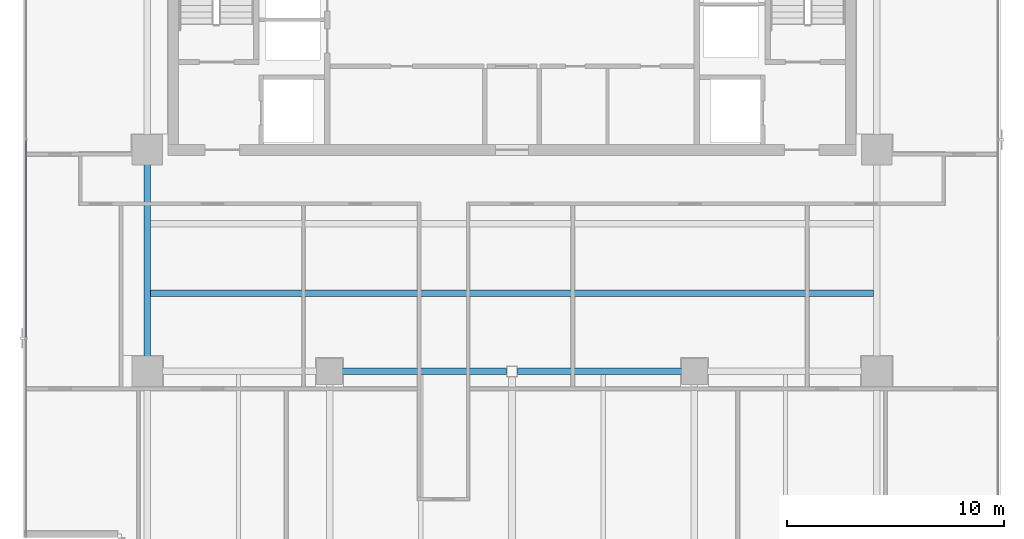
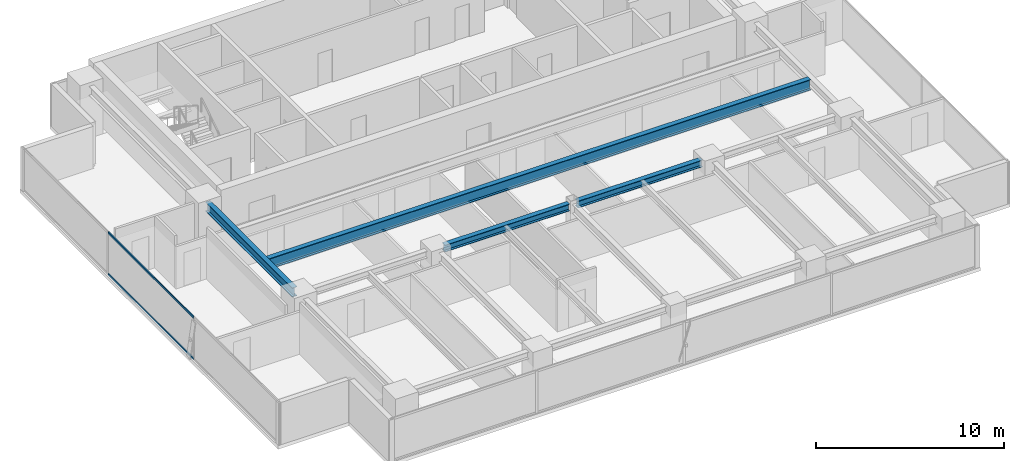
# One storey, part 8 of 25: 4 beams, 2 members, 1 element without a shape of its own.
"""IFC4 building model written with IfcOpenShell, lengths in metres."""

from ifc_helpers import new_model, si_unit, direction, frame, origin, origin_2d, place, context, subcontext, project, spatial, hollow_rectangle, i_section, extrude, source, transform, mapped, material, layer, layer_set, material_profile, profile_set, type_object, element, aggregate, save


model = new_model("IFC4")

# Units and contexts
model_context = context("Model", 3, precision=1e-05, world=origin(), true_north=direction((0.0, 1.0)))
body_context = subcontext(model_context, "Body", "Model", "MODEL_VIEW")
ifc_project = project(units=[si_unit("LENGTHUNIT", "METRE"), si_unit("AREAUNIT", "SQUARE_METRE"), si_unit("VOLUMEUNIT", "CUBIC_METRE"), si_unit("PLANEANGLEUNIT", "RADIAN"), si_unit("MASSUNIT", "GRAM", prefix="KILO")], contexts=[model_context])

# Site, building, storey
site_placement = place(None, origin())
site = spatial("IfcSite", under=ifc_project, at=site_placement, CompositionType="ELEMENT")
building_placement = place(site_placement, origin())
building = spatial("IfcBuilding", under=site, at=building_placement, Name="Sumidabori Civic Tower", CompositionType="ELEMENT")
storey_placement = place(building_placement, frame((0.0, 0.0, 246.800048828125)))
storey = spatial("IfcBuildingStorey", under=building, at=storey_placement, Name="L64", CompositionType="ELEMENT", Elevation=246.800048828125)

# Beams
ifc_material_1 = material(Name="Steel SN490", Category="steel")
ifc_material_profile_1 = material_profile(ifc_material_1, i_section(OverallWidth=0.300048828125, OverallDepth=0.60009765625, WebThickness=0.015380859375, FlangeThickness=0.030029296875, at=origin_2d()), Name="HE 600 B")
ifc_profile_set_1 = profile_set([ifc_material_profile_1], Name="Steel SN490")
beam_type_1 = type_object("IfcBeamType", Name="BM-GIRD-600", PredefinedType="BEAM", material=ifc_profile_set_1)
shared_shape_1 = source(origin(), body_context, "Body", "SweptSolid", [
    extrude(i_section(OverallWidth=0.300048828125, OverallDepth=0.60009765625, WebThickness=0.015380859375, FlangeThickness=0.030029296875, at=origin_2d()), origin(), (0.0, 0.0, 1.0), 9.239990234375),
])
beam_1_placement = place(storey_placement, frame((-16.800048828125, 0.47998046875, 3.070068359375), z_axis=(0.0, 1.0, 0.0), x_axis=(-1.0, 0.0, 0.0)))
element("IfcBeam", 1, at=beam_1_placement, inside=storey, type_object=beam_type_1, Name="Primary Girder L64 GY-10", PredefinedType="BEAM", context=body_context, shape_type="MappedRepresentation", body=[
    mapped(shared_shape_1, transform((0.0, 0.0, 0.0), x_axis=(1.0, 0.0, 0.0), y_axis=(0.0, 1.0, 0.0), z_axis=(0.0, 0.0, 1.0), scale=1.0)),
])
ifc_material_profile_2 = material_profile(ifc_material_1, i_section(OverallWidth=0.300048828125, OverallDepth=0.699951171875, WebThickness=0.01708984375, FlangeThickness=0.031982421875, at=origin_2d()), Name="HE 700 B")
ifc_profile_set_2 = profile_set([ifc_material_profile_2], Name="Steel SN490")
beam_type_2 = type_object("IfcBeamType", Name="BM-GIRD-700", PredefinedType="BEAM", material=ifc_profile_set_2)
shared_shape_2 = source(origin(), body_context, "Body", "SweptSolid", [
    extrude(i_section(OverallWidth=0.300048828125, OverallDepth=0.699951171875, WebThickness=0.01708984375, FlangeThickness=0.031982421875, at=origin_2d()), origin(), (0.0, 0.0, 1.0), 33.2998046875),
])
beam_2_placement = place(storey_placement, frame((-16.64990234375, 3.60009765625, 3.02001953125), z_axis=(1.0, 0.0, 0.0), x_axis=(0.0, 1.0, 0.0)))
element("IfcBeam", 2, at=beam_2_placement, inside=storey, type_object=beam_type_2, Name="North Bay Floor Beam L64 JSTN-18", PredefinedType="BEAM", context=body_context, shape_type="MappedRepresentation", body=[
    mapped(shared_shape_2, transform((0.0, 0.0, 0.0), x_axis=(1.0, 0.0, 0.0), y_axis=(0.0, 1.0, 0.0), z_axis=(0.0, 0.0, 1.0), scale=1.0)),
])
ifc_material_profile_3 = material_profile(ifc_material_1, i_section(OverallWidth=0.300048828125, OverallDepth=0.449951171875, WebThickness=0.013916015625, FlangeThickness=0.02587890625, at=origin_2d()), Name="HE 450 B")
ifc_profile_set_3 = profile_set([ifc_material_profile_3], Name="Steel SN490")
beam_type_3 = type_object("IfcBeamType", Name="BM-GIRD-450", PredefinedType="BEAM", material=ifc_profile_set_3)
shared_shape_3 = source(origin(), body_context, "Body", "SweptSolid", [
    extrude(i_section(OverallWidth=0.300048828125, OverallDepth=0.449951171875, WebThickness=0.013916015625, FlangeThickness=0.02587890625, at=origin_2d()), origin(), (0.0, 0.0, 1.0), 7.669921875),
])
for number, where, z_axis, x_axis, name in (
    (3, (-7.919921875, 0.0, 3.14501953125), (1.0, 0.0, 0.0), (0.0, 1.0, 0.0), "Primary Girder L64 GX-06"),
    (4, (0.25, 0.0, 3.14501953125), (1.0, 0.0, 0.0), (0.0, 1.0, 0.0), "Primary Girder L64 GX-07"),
):
    element("IfcBeam", number, at=place(storey_placement, frame(where, z_axis=z_axis, x_axis=x_axis)), inside=storey, type_object=beam_type_3, Name=name, PredefinedType="BEAM", context=body_context, shape_type="MappedRepresentation", body=[
        mapped(shared_shape_3, transform((0.0, 0.0, 0.0), x_axis=(1.0, 0.0, 0.0), y_axis=(0.0, 1.0, 0.0), z_axis=(0.0, 0.0, 1.0), scale=1.0)),
    ])

# Curtain wall, members
ifc_material_2 = material(Name="Anodised Bronze Aluminium AW-6063-T6", Category="aluminium")
ifc_layer = layer(ifc_material_2, 0.179931640625, Name="Anodised Bronze Aluminium AW-6063-T6")
ifc_layer_set = layer_set([ifc_layer], Name="Anodised Bronze Aluminium AW-6063-T6")
curtain_wall_type = type_object("IfcCurtainWallType", Name="CW-SYS-5", PredefinedType="NOTDEFINED", material=ifc_layer_set)
curtain_wall_placement = place(storey_placement, origin())
curtain_wall = element("IfcCurtainWall", 5, at=curtain_wall_placement, inside=storey, type_object=curtain_wall_type, Name="Curtain Wall CW:L64:R10", PredefinedType="NOTDEFINED")
ifc_material_profile_4 = material_profile(ifc_material_2, hollow_rectangle(XDim=0.06005859375, YDim=0.1298828125, WallThickness=0.0048828125, at=origin_2d()), Name="ALU TRANSOM 130x60")
ifc_profile_set_4 = profile_set([ifc_material_profile_4], Name="Anodised Bronze Aluminium AW-6063-T6")
member_type = type_object("IfcMemberType", Name="CW-TRN-130", PredefinedType="USERDEFINED", material=ifc_profile_set_4)
shared_shape_4 = source(origin(), body_context, "Body", "SweptSolid", [
    extrude(hollow_rectangle(XDim=0.06005859375, YDim=0.1298828125, WallThickness=0.0048828125, at=origin_2d()), origin(), (0.0, 0.0, 1.0), 9.086669921875),
])
member_1_placement = place(storey_placement, frame((-22.3798828125, 10.643310546875, 0.030029296875), z_axis=(0.0, -1.0, 0.0), x_axis=(1.0, 0.0, 0.0)))
member_1 = element("IfcMember", 6, at=member_1_placement, type_object=member_type, Name="CW-5 transom 2.1", ObjectType="TRANSOM", PredefinedType="USERDEFINED", context=body_context, shape_type="MappedRepresentation", body=[
    mapped(shared_shape_4, transform((0.0, 0.0, 0.0), x_axis=(1.0, 0.0, 0.0), y_axis=(0.0, 1.0, 0.0), z_axis=(0.0, 0.0, 1.0), scale=1.0)),
])
member_2_placement = place(storey_placement, frame((-22.3798828125, 10.643310546875, 2.719970703125), z_axis=(0.0, -1.0, 0.0), x_axis=(1.0, 0.0, 0.0)))
member_2 = element("IfcMember", 7, at=member_2_placement, type_object=member_type, Name="CW-5 transom 2.2", ObjectType="TRANSOM", PredefinedType="USERDEFINED", context=body_context, shape_type="MappedRepresentation", body=[
    mapped(shared_shape_4, transform((0.0, 0.0, 0.0), x_axis=(1.0, 0.0, 0.0), y_axis=(0.0, 1.0, 0.0), z_axis=(0.0, 0.0, 1.0), scale=1.0)),
])
aggregate(curtain_wall, [member_1, member_2])

save(model, "model.ifc")
